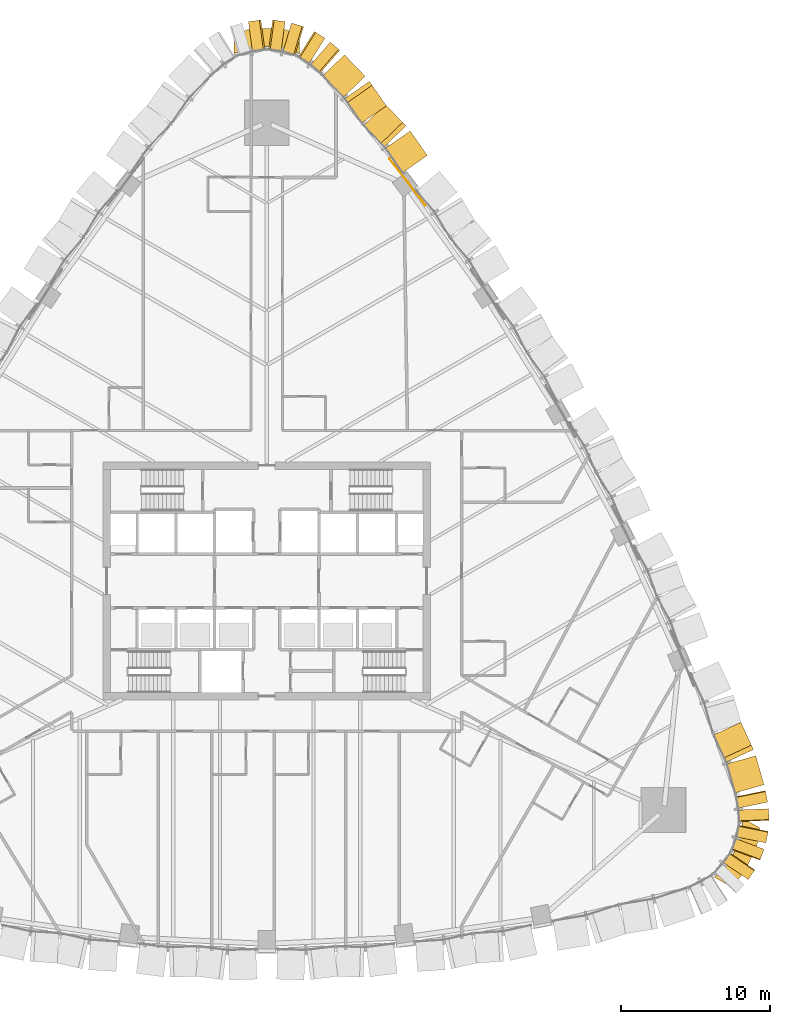
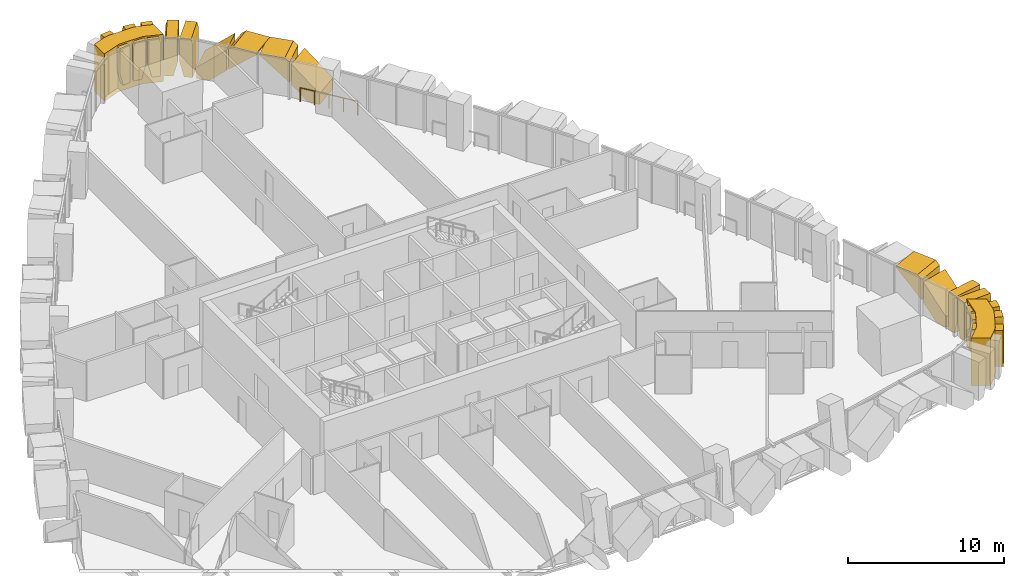
# One storey, part 21 of 22: 18 coverings, 1 railing.
"""IFC4 building model written with IfcOpenShell, lengths in metres."""

from ifc_helpers import new_model, si_unit, direction, frame, origin, origin_2d, place, context, subcontext, project, spatial, polyline, circle, outline, extrude, material, layer, layer_set, type_object, element, save


model = new_model("IFC4")

# Units and contexts
model_context = context("Model", 3, precision=1e-05, world=origin(), true_north=direction((0.0, 1.0)))
body_context = subcontext(model_context, "Body", "Model", "MODEL_VIEW")
ifc_project = project(units=[si_unit("LENGTHUNIT", "METRE"), si_unit("AREAUNIT", "SQUARE_METRE"), si_unit("VOLUMEUNIT", "CUBIC_METRE"), si_unit("PLANEANGLEUNIT", "RADIAN"), si_unit("MASSUNIT", "GRAM", prefix="KILO")], contexts=[model_context])

# Site, building, storey
site_placement = place(None, origin())
site = spatial("IfcSite", under=ifc_project, at=site_placement, CompositionType="ELEMENT")
building_placement = place(site_placement, origin())
building = spatial("IfcBuilding", under=site, at=building_placement, Name="Sierra Prisma Convention Tower", CompositionType="ELEMENT")
storey_placement = place(building_placement, frame((0.0, 0.0, 66.5)))
storey = spatial("IfcBuildingStorey", under=building, at=storey_placement, Name="L12", CompositionType="ELEMENT", Elevation=66.5)

# Coverings
ifc_material_1 = material(Name="Aluminium composite bronze anodised", Category="aluminium")
ifc_layer_1 = layer(ifc_material_1, 1.199951171875)
ifc_layer_set_1 = layer_set([ifc_layer_1], Name="Bronze corner pier")
covering_type_1 = type_object("IfcCoveringType", Name="Bronze corner pier", PredefinedType="CLADDING", material=ifc_layer_set_1)
covering_1_placement = place(storey_placement, frame((0.0, 0.0, -0.60009765625)))
element("IfcCovering", 1, at=covering_1_placement, inside=storey, type_object=covering_type_1, Name="Corner pier SE L12.1", PredefinedType="CLADDING", context=body_context, shape_type="SweptSolid", body=[
    extrude(outline(polyline([(32.94189453125, -17.719970703125), (32.822021484375, -18.0830078125), (32.062744140625, -19.5458984375), (31.834716796875, -19.85302734375), (31.146484375, -20.522705078125), (30.066650390625, -19.8994140625), (30.997802734375, -18.9931640625), (31.757080078125, -17.5302734375), (32.011474609375, -15.94140625), (33.123779296875, -16.583740234375), (32.94189453125, -17.719970703125)])), origin(), (0.0, 0.0, 1.0), 3.7001953125),
])
covering_2_placement = place(storey_placement, frame((0.0, 0.0, -0.60009765625)))
element("IfcCovering", 2, at=covering_2_placement, inside=storey, type_object=covering_type_1, Name="Corner pier N L12.1", PredefinedType="CLADDING", context=body_context, shape_type="SweptSolid", body=[
    extrude(outline(polyline([(-1.2734375, 37.031005859375), (-0.873779296875, 37.099609375), (0.873779296875, 37.099609375), (1.2734375, 37.031005859375), (2.199951171875, 36.703857421875), (2.199951171875, 35.43115234375), (0.873779296875, 35.899658203125), (-0.873779296875, 35.899658203125), (-2.199951171875, 35.43115234375), (-2.199951171875, 36.703857421875), (-1.2734375, 37.031005859375)])), origin(), (0.0, 0.0, 1.0), 3.7001953125),
])
ifc_material_2 = material(Name="Aluminium 6063-T6 bronze anodised", Category="aluminium")
ifc_layer_2 = layer(ifc_material_2, 2.0)
ifc_layer_set_2 = layer_set([ifc_layer_2], Name="Bronze crystal chevron frame")
covering_type_2 = type_object("IfcCoveringType", Name="Bronze crystal chevron frame", PredefinedType="CLADDING", material=ifc_layer_set_2)
covering_3_placement = place(storey_placement, frame((32.3427734375, -20.05908203125, 2.97998046875), z_axis=(0.825201063759, -0.564839095925, 9.248444e-06), x_axis=(7.631826e-06, -5.223883e-06, -0.999999999957)))
element("IfcCovering", 3, at=covering_3_placement, inside=storey, type_object=covering_type_2, Name="CW-2 chevron frame SE2.1.2", PredefinedType="CLADDING", context=body_context, shape_type="SweptSolid", body=[
    extrude(outline(polyline([(0.0, 0.0), (2.0541992186621485, 0.0), (2.9799804685206257, 0.2278015192106594), (2.9799804686290927, 0.7857938236995559), (0.22607421874686853, 0.7857938236995559), (-5.832030548976822e-10, 0.7301292623297364), (0.0, 0.0)])), origin(), (0.0, 0.0, -1.0), 2.0),
])
covering_4_placement = place(storey_placement, frame((33.128173828125, -18.7529296875, 0.0), z_axis=(0.936897160641, -0.349605075556, 3.9098754e-05), x_axis=(0.349605075823, 0.936897161357, -1.307e-09)))
element("IfcCovering", 4, at=covering_4_placement, inside=storey, type_object=covering_type_2, Name="CW-2 chevron frame SE3.1.1", PredefinedType="CLADDING", context=body_context, shape_type="SweptSolid", body=[
    extrude(outline(polyline([(0.0, 0.0), (0.5579177924921637, 8.470329472543003e-22), (0.7856568962006324, 0.9257812507961222), (0.7856568935167263, 2.979980467975982), (0.05569208436833758, 2.9799804741873004), (-3.598105698545695e-09, 2.7539062478950345), (0.0, 0.0)])), origin(), (0.0, 0.0, -1.0), 2.0),
])
covering_5_placement = place(storey_placement, frame((33.52490234375, -17.59033203125, 2.97998046875), z_axis=(0.980031258868, -0.198843485257, 3.39499e-06), x_axis=(3.327197e-06, -6.75072e-07, -0.999999999994)))
element("IfcCovering", 5, at=covering_5_placement, inside=storey, type_object=covering_type_2, Name="CW-2 chevron frame SE3.1.2", PredefinedType="CLADDING", context=body_context, shape_type="SweptSolid", body=[
    extrude(outline(polyline([(0.0, 0.0), (2.054199218738162, 4.349936046263234e-22), (2.979980469182786, 0.22771812960668011), (2.9799804687889013, 0.7857125051401832), (0.22607421880477183, 0.7857125051401832), (4.203846917078204e-10, 0.7299324858959402), (0.0, 0.0)])), origin(), (0.0, 0.0, -1.0), 2.0),
])
covering_6_placement = place(storey_placement, frame((33.739501953125, -16.08154296875, 0.0), z_axis=(0.999080653931, 0.042870116395, 7.777762e-06), x_axis=(-0.042870116396, 0.999080653962, 1.27e-10)))
element("IfcCovering", 6, at=covering_6_placement, inside=storey, type_object=covering_type_2, Name="CW-2 chevron frame SE4.1.1", PredefinedType="CLADDING", context=body_context, shape_type="SweptSolid", body=[
    extrude(outline(polyline([(0.0, 0.0), (0.5578863291994569, -5.293955920339377e-23), (0.7858787743374023, 0.9257812498772667), (0.7858787745990954, 2.9799804685651337), (0.055717551714395075, 2.9799804690637197), (3.5083175135927013e-10, 2.753906249916703), (0.0, 0.0)])), origin(), (0.0, 0.0, -1.0), 2.0),
])
covering_7_placement = place(storey_placement, frame((33.652099609375, -14.856201171875, 2.97998046875), z_axis=(0.980087831377, 0.198564453138, -2.714778e-05), x_axis=(-2.6607209e-05, -5.390584e-06, -0.999999999631)))
element("IfcCovering", 7, at=covering_7_placement, inside=storey, type_object=covering_type_2, Name="CW-2 chevron frame SE4.1.2", PredefinedType="CLADDING", context=body_context, shape_type="SweptSolid", body=[
    extrude(outline(polyline([(0.0, 0.0), (2.0541992179930255, 0.0), (2.979980466514124, 0.22766960499331643), (2.9799804676773194, 0.7856639909432808), (0.22607421869213618, 0.7856639909432808), (-5.30447574475288e-09, 0.7300747450142538), (0.0, 0.0)])), origin(), (0.0, 0.0, -1.0), 2.0),
])
covering_8_placement = place(storey_placement, frame((33.399169921875, -13.686279296875, 0.0), z_axis=(0.962075180693, 0.272784431776, -2.1802745e-05), x_axis=(-0.272784431841, 0.962075180921, -1.344e-09)))
element("IfcCovering", 8, at=covering_8_placement, inside=storey, type_object=covering_type_2, Name="CW-2 chevron frame NE1.1.1", PredefinedType="CLADDING", context=body_context, shape_type="SweptSolid", body=[
    extrude(outline(polyline([(0.0, 0.0), (0.8590081889616012, 8.470329472543003e-22), (2.020975093369653, 1.0017089873290137), (2.0209750912403277, 2.5861816432024165), (-1.1342182734706736e-09, 0.8439941404243998), (0.0, 0.0)])), origin(), (0.0, 0.0, -1.0), 2.0),
])
covering_9_placement = place(storey_placement, frame((32.694091796875, -11.326171875, 2.6982421875), z_axis=(0.907547356456, 0.41994975319, -2.4207041e-05), x_axis=(-2.1969036e-05, -1.0165741e-05, -0.999999999707)))
element("IfcCovering", 9, at=covering_9_placement, inside=storey, type_object=covering_type_2, Name="CW-2 chevron frame NE1.1.2", PredefinedType="CLADDING", context=body_context, shape_type="SweptSolid", body=[
    extrude(outline(polyline([(0.0, 0.0), (1.5844726557857647, -2.6842010877345748e-21), (-0.15771484386888432, 2.020810812062645), (-0.2817382813325466, 2.020810812062645), (-0.2817382823336926, 0.3268266112740824), (0.0, 0.0)])), origin(), (0.0, 0.0, -1.0), 2.0),
])
covering_10_placement = place(storey_placement, frame((10.781005859375, 28.58642578125, 0.0), z_axis=(0.819696461578, 0.572798139784, 4.400478e-05), x_axis=(-0.572798140338, 0.819696462372, -5.521e-09)))
element("IfcCovering", 10, at=covering_10_placement, inside=storey, type_object=covering_type_2, Name="CW-2 chevron frame NE6.1.1", PredefinedType="CLADDING", context=body_context, shape_type="SweptSolid", body=[
    extrude(outline(polyline([(0.0, 0.0), (0.8547336714808605, 0.0), (2.0036186859191116, 0.9985351682789945), (2.003618677141407, 2.5883789167396913), (-4.677308808165116e-09, 0.8471679679297633), (0.0, 0.0)])), origin(), (0.0, 0.0, -1.0), 2.0),
])
covering_11_placement = place(storey_placement, frame((9.3515625, 30.5712890625, 2.701416015625), z_axis=(0.720026701986, 0.693946358172, 2.019051e-05), x_axis=(1.4537706e-05, 1.4011131e-05, -0.999999999796)))
element("IfcCovering", 11, at=covering_11_placement, inside=storey, type_object=covering_type_2, Name="CW-2 chevron frame NE6.1.2", PredefinedType="CLADDING", context=body_context, shape_type="SweptSolid", body=[
    extrude(outline(polyline([(0.0, 0.0), (1.5898437496759448, 0.0), (-0.151611328207656, 2.0035796614977532), (-0.27856445318177936, 2.0035796614977532), (-0.2785644538816431, 0.3204615151217204), (0.0, 0.0)])), origin(), (0.0, 0.0, -1.0), 2.0),
])
covering_12_placement = place(storey_placement, frame((8.0400390625, 31.91796875, 2.97998046875), z_axis=(0.8196844202, 0.572815372732, -6.526726e-06), x_axis=(-5.349856e-06, -3.738609e-06, -0.999999999979)))
element("IfcCovering", 12, at=covering_12_placement, inside=storey, type_object=covering_type_2, Name="CW-2 chevron frame NE6.2.1", PredefinedType="CLADDING", context=body_context, shape_type="SweptSolid", body=[
    extrude(outline(polyline([(0.0, 0.0), (0.12695312499729602, 0.0), (1.868408203097071, 2.003618691913127), (0.2785644531309332, 2.003618691913127), (-7.313237343285056e-11, 1.683126114652854), (0.0, 0.0)])), origin(), (0.0, 0.0, -1.0), 2.0),
])
covering_13_placement = place(storey_placement, frame((5.219970703125, 35.34521484375, 0.0), z_axis=(0.719946082973, 0.694029995726, 5.1431817e-05), x_axis=(-3.7028135e-05, -3.5695224e-05, 0.999999998677)))
element("IfcCovering", 13, at=covering_13_placement, inside=storey, type_object=covering_type_2, Name="CW-2 chevron frame NE6.2.2", PredefinedType="CLADDING", context=body_context, shape_type="SweptSolid", body=[
    extrude(outline(polyline([(0.0, 0.0), (0.8471679676295222, 0.0), (2.5883789054679256, 2.003749089549446), (0.9985351575706785, 2.003749089549446), (-6.446460844588441e-09, 0.8546770076501089), (0.0, 0.0)])), origin(), (0.0, 0.0, -1.0), 2.0),
])
covering_14_placement = place(storey_placement, frame((4.904052734375, 35.645263671875, 0.0), z_axis=(0.655785937905, 0.754946887847, -1.3238234e-05), x_axis=(-0.754946887913, 0.655785937963, -1.626e-09)))
element("IfcCovering", 14, at=covering_14_placement, inside=storey, type_object=covering_type_2, Name="CW-2 chevron frame N1.1.1", PredefinedType="CLADDING", context=body_context, shape_type="SweptSolid", body=[
    extrude(outline(polyline([(0.0, 0.0), (0.560371287448261, 1.2705494208814505e-21), (0.8447020403415311, 1.085205079602759), (0.8447020372601464, 2.9799804700617285), (0.10089389608566347, 2.9799804686057505), (-4.221270696828985e-09, 2.5957031247725504), (0.0, 0.0)])), origin(), (0.0, 0.0, -1.0), 2.0),
])
covering_15_placement = place(storey_placement, frame((3.90966796875, 36.462890625, 2.97998046875), z_axis=(0.529848208409, 0.848092492617, 3.433972e-06), x_axis=(1.819484e-06, 2.912326e-06, -0.999999999994)))
element("IfcCovering", 15, at=covering_15_placement, inside=storey, type_object=covering_type_2, Name="CW-2 chevron frame N1.1.2", PredefinedType="CLADDING", context=body_context, shape_type="SweptSolid", body=[
    extrude(outline(polyline([(0.0, 0.0), (1.8947753906138283, 8.02468591753006e-22), (2.979980468550535, 0.2843827459231455), (2.9799804687147367, 0.8446081883236137), (0.38427734373004085, 0.8446081883236137), (-2.569505144284446e-10, 0.7438100608675364), (0.0, 0.0)])), origin(), (0.0, 0.0, -1.0), 2.0),
])
covering_16_placement = place(storey_placement, frame((2.474365234375, 37.2353515625, 0.0), z_axis=(0.286686532829, 0.958024442198, 6.764611e-06), x_axis=(-0.95802444222, 0.286686532836, 1.29e-10)))
element("IfcCovering", 16, at=covering_16_placement, inside=storey, type_object=covering_type_2, Name="CW-2 chevron frame N2.1.1", PredefinedType="CLADDING", context=body_context, shape_type="SweptSolid", body=[
    extrude(outline(polyline([(0.0, 0.0), (0.5603846403924145, 0.0), (0.8447861491950666, 1.0852050780008782), (0.8447861494385492, 2.9799804685825255), (0.10064664724608112, 2.979980468989768), (3.3355335622483043e-10, 2.5957031249406106), (0.0, 0.0)])), origin(), (0.0, 0.0, -1.0), 2.0),
])
covering_17_placement = place(storey_placement, frame((1.231689453125, 37.57080078125, 2.97998046875), z_axis=(0.133258052129, 0.991081374766, -1.1623722e-05), x_axis=(-1.548955e-06, -1.1520055e-05, -0.999999999932)))
element("IfcCovering", 17, at=covering_17_placement, inside=storey, type_object=covering_type_2, Name="CW-2 chevron frame N2.1.2", PredefinedType="CLADDING", context=body_context, shape_type="SweptSolid", body=[
    extrude(outline(polyline([(0.0, 0.0), (1.8947753904969977, 0.0), (2.9799804693870846, 0.28451025049150963), (2.9799804687000755, 0.8446899405119969), (0.3842773438754293, 0.8446899405119969), (1.7106190209259512e-10, 0.7439376272370488), (0.0, 0.0)])), origin(), (0.0, 0.0, -1.0), 2.0),
])
covering_18_placement = place(storey_placement, frame((-0.39453125, 37.683349609375, 0.0), z_axis=(-0.133258052129, 0.991081374766, -1.1623722e-05), x_axis=(-0.991081374833, -0.133258052138, -1.226e-09)))
element("IfcCovering", 18, at=covering_18_placement, inside=storey, type_object=covering_type_2, Name="CW-2 chevron frame N3.1.1", PredefinedType="CLADDING", context=body_context, shape_type="SweptSolid", body=[
    extrude(outline(polyline([(0.0, 0.0), (0.5601796900204871, 1.0587911840678754e-22), (0.8446899391810925, 1.0852050792390122), (0.8446899368573245, 2.97998046973601), (0.10075230962027586, 2.9799804686525766), (-3.1833913409167964e-09, 2.595703124824646), (0.0, 0.0)])), origin(), (0.0, 0.0, -1.0), 2.0),
])

# Railing
ifc_material_3 = material(Name="Bronze anodised aluminium", Category="aluminium")
railing_type = type_object("IfcRailingType", Name="Facade guard 1100", PredefinedType="GUARDRAIL", material=ifc_material_3)
railing_placement = place(storey_placement, frame((10.672607421875, 25.213623046875, 0.0)))
element("IfcRailing", 19, at=railing_placement, inside=storey, type_object=railing_type, Name="Facade guard", PredefinedType="GUARDRAIL", context=body_context, shape_type="SweptSolid", body=[
    extrude(circle(Radius=0.02392578125, at=origin_2d()), frame((0.0, 0.0, 1.076171875), z_axis=(-0.601990126786, 0.798503529893, 0.0), x_axis=(-0.798503529893, -0.601990126786, 0.0)), (0.0, 0.0, 1.0), 1.0),
    extrude(circle(Radius=0.02392578125, at=origin_2d()), frame((-0.60205078125, 0.798583984375, 1.076171875), z_axis=(-0.606538601509, 0.795054038968, 0.0), x_axis=(-0.795054038968, -0.606538601509, 0.0)), (0.0, 0.0, 1.0), 0.99462890625),
    extrude(circle(Radius=0.02392578125, at=origin_2d()), frame((-1.205322265625, 1.58935546875, 1.076171875), z_axis=(-0.612891976322, 0.790166707322, 0.0), x_axis=(-0.790166707322, -0.612891976322, 0.0)), (0.0, 0.0, 1.0), 0.999755859375),
    extrude(circle(Radius=0.02392578125, at=origin_2d()), frame((-1.818115234375, 2.37939453125, 1.076171875), z_axis=(-0.618027486735, 0.786156489282, 0.0), x_axis=(-0.786156489282, -0.618027486735, 0.0)), (0.0, 0.0, 1.0), 0.99462890625),
    extrude(circle(Radius=0.02099609375, at=origin_2d()), origin(), (0.0, 0.0, 1.0), 1.052001953125),
    extrude(circle(Radius=0.02099609375, at=origin_2d()), frame((-0.60205078125, 0.798583984375, 0.0)), (0.0, 0.0, 1.0), 1.052001953125),
    extrude(circle(Radius=0.02099609375, at=origin_2d()), frame((-1.205322265625, 1.58935546875, 0.0)), (0.0, 0.0, 1.0), 1.052001953125),
    extrude(circle(Radius=0.02099609375, at=origin_2d()), frame((-1.818115234375, 2.37939453125, 0.0)), (0.0, 0.0, 1.0), 1.052001953125),
    extrude(circle(Radius=0.02099609375, at=origin_2d()), frame((-2.432861328125, 3.161376953125, 0.0)), (0.0, 0.0, 1.0), 1.052001953125),
])

save(model, "model.ifc")
